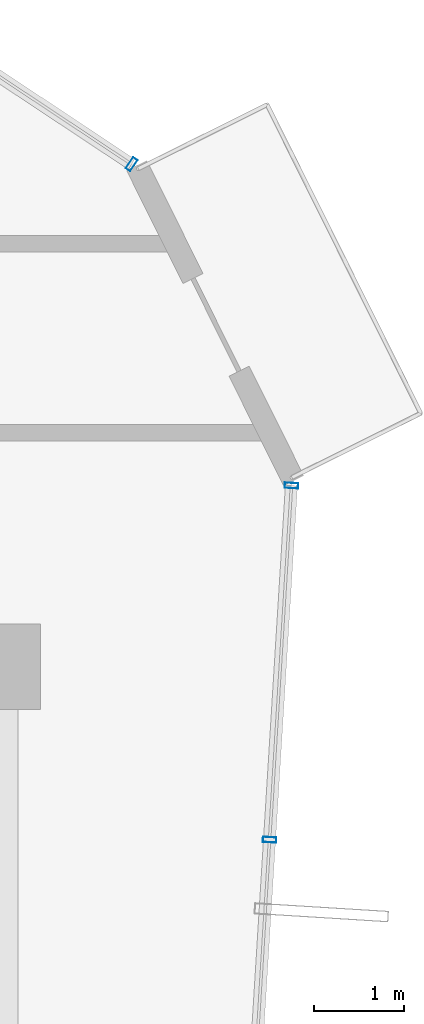
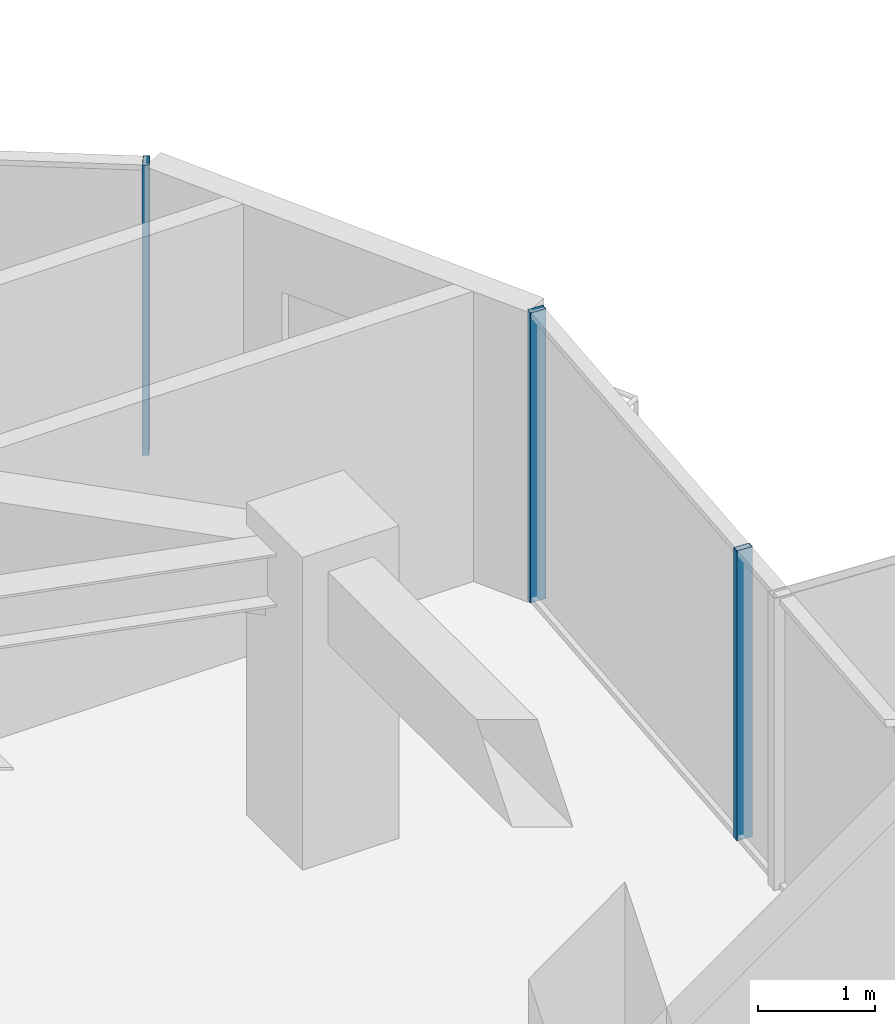
# One storey, part 17 of 29: 3 members, 2 elements without a shape of their own.
"""IFC4 building model written with IfcOpenShell, lengths in metres."""

from ifc_helpers import new_model, si_unit, direction, frame, origin, origin_2d, place, context, subcontext, project, spatial, hollow_rectangle, extrude, source, transform, mapped, material, layer, layer_set, material_profile, profile_set, type_object, element, aggregate, save


model = new_model("IFC4")

# Units and contexts
model_context = context("Model", 3, precision=1e-05, world=origin(), true_north=direction((0.0, 1.0)))
body_context = subcontext(model_context, "Body", "Model", "MODEL_VIEW")
ifc_project = project(units=[si_unit("LENGTHUNIT", "METRE"), si_unit("AREAUNIT", "SQUARE_METRE"), si_unit("VOLUMEUNIT", "CUBIC_METRE"), si_unit("PLANEANGLEUNIT", "RADIAN"), si_unit("MASSUNIT", "GRAM", prefix="KILO")], contexts=[model_context])

# Site, building, storey
site_placement = place(None, origin())
site = spatial("IfcSite", under=ifc_project, at=site_placement, CompositionType="ELEMENT")
building_placement = place(site_placement, origin())
building = spatial("IfcBuilding", under=site, at=building_placement, Name="Veraguas Prism Commons", CompositionType="ELEMENT")
storey_placement = place(building_placement, frame((0.0, 0.0, 218.89990234375)))
storey = spatial("IfcBuildingStorey", under=building, at=storey_placement, Name="L62", CompositionType="ELEMENT", Elevation=218.89990234375)

# Curtain wall, member
ifc_material = material(Name="Anodised aluminium EN AW-6063 T6", Category="aluminium")
ifc_layer = layer(ifc_material, 0.14990234375, Name="Unitised Flush Curtain Wall Zone 3", Category="aluminium")
ifc_layer_set = layer_set([ifc_layer], Name="Anodised aluminium EN AW-6063 T6")
curtain_wall_type = type_object("IfcCurtainWallType", Name="Unitised Flush Curtain Wall Zone 3", PredefinedType="NOTDEFINED", material=ifc_layer_set)
curtain_wall_1_placement = place(storey_placement, origin())
curtain_wall_1 = element("IfcCurtainWall", 1, at=curtain_wall_1_placement, inside=storey, type_object=curtain_wall_type, Name="Tower Facade Curtain Wall L62-F1", PredefinedType="NOTDEFINED")
ifc_material_profile = material_profile(ifc_material, hollow_rectangle(XDim=0.06005859375, YDim=0.14990234375, WallThickness=0.0029296875, at=origin_2d()), Name="AL60X150X3")
ifc_profile_set = profile_set([ifc_material_profile], Name="Anodised aluminium EN AW-6063 T6")
member_type = type_object("IfcMemberType", Name="Curtain Wall Mullion Upper AL 60x150x3", PredefinedType="MULLION", material=ifc_profile_set)
shared_shape = source(origin(), body_context, "Body", "SweptSolid", [
    extrude(hollow_rectangle(XDim=0.06005859375, YDim=0.14990234375, WallThickness=0.0029296875, at=origin_2d()), origin(), (0.0, 0.0, 1.0), 3.01513671875),
])
member_1_placement = place(storey_placement, frame((40.3876953125, 34.384765625, 0.0), z_axis=(0.0, 0.0, 1.0), x_axis=(-0.833503187151, 0.552514648683, 0.0)))
member_1 = element("IfcMember", 2, at=member_1_placement, type_object=member_type, Name="CW-Z3 Mullion 1", PredefinedType="MULLION", context=body_context, shape_type="MappedRepresentation", body=[
    mapped(shared_shape, transform((0.0, 0.0, 0.0), scale=1.0)),
])
aggregate(curtain_wall_1, [member_1])

# Curtain wall, members
curtain_wall_2_placement = place(storey_placement, origin())
curtain_wall_2 = element("IfcCurtainWall", 3, at=curtain_wall_2_placement, inside=storey, type_object=curtain_wall_type, Name="Tower Facade Curtain Wall L62-F6", PredefinedType="NOTDEFINED")
member_2_placement = place(storey_placement, frame((41.921875, 26.87451171875, 0.0), z_axis=(0.0, 0.0, 1.0), x_axis=(0.061745354146, 0.998091935265, 0.0)))
member_2 = element("IfcMember", 4, at=member_2_placement, type_object=member_type, Name="CW-Z3 Mullion 4", PredefinedType="MULLION", context=body_context, shape_type="MappedRepresentation", body=[
    mapped(shared_shape, transform((0.0, 0.0, 0.0), scale=1.0)),
])
member_3_placement = place(storey_placement, frame((42.16552734375, 30.8125, 0.0), z_axis=(0.0, 0.0, 1.0), x_axis=(0.061745354146, 0.998091935265, 0.0)))
member_3 = element("IfcMember", 5, at=member_3_placement, type_object=member_type, Name="CW-Z3 Mullion 5", PredefinedType="MULLION", context=body_context, shape_type="MappedRepresentation", body=[
    mapped(shared_shape, transform((0.0, 0.0, 0.0), scale=1.0)),
])
aggregate(curtain_wall_2, [member_2, member_3])

save(model, "model.ifc")
